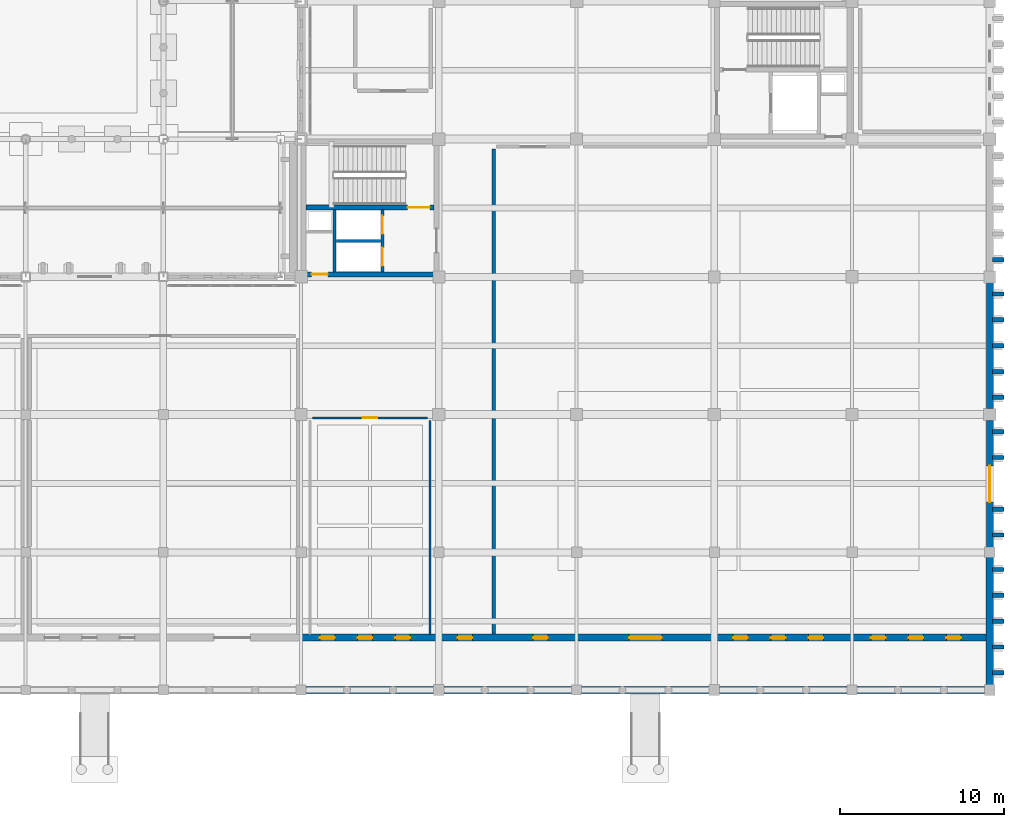
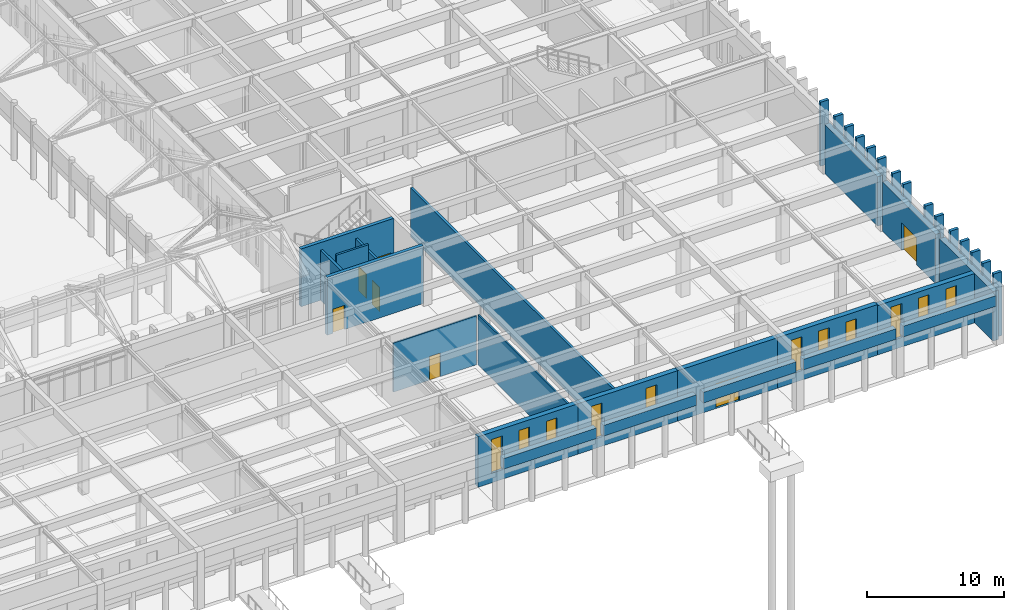
# One storey, part 124 of 143: 36 walls, 11 windows, 7 doors, 18 openings.
"""IFC4 building model written with IfcOpenShell, lengths in metres."""

from ifc_helpers import new_model, si_unit, direction, frame, frame_2d, origin, place, context, subcontext, project, spatial, rectangle, extrude, material, layer, layer_set, type_object, element, fill, save


model = new_model("IFC4")

# Units and contexts
model_context = context("Model", 3, precision=1e-05, world=origin(), true_north=direction((0.0, 1.0)))
body_context = subcontext(model_context, "Body", "Model", "MODEL_VIEW")
ifc_project = project(units=[si_unit("LENGTHUNIT", "METRE"), si_unit("AREAUNIT", "SQUARE_METRE"), si_unit("VOLUMEUNIT", "CUBIC_METRE"), si_unit("PLANEANGLEUNIT", "RADIAN"), si_unit("MASSUNIT", "GRAM", prefix="KILO")], contexts=[model_context])

# Site, building, storey
site_placement = place(None, origin())
site = spatial("IfcSite", under=ifc_project, at=site_placement, CompositionType="ELEMENT")
building_placement = place(site_placement, origin())
building = spatial("IfcBuilding", under=site, at=building_placement, Name="Kveldsbrygga Polytechnic", CompositionType="ELEMENT")
storey_placement = place(building_placement, origin())
storey = spatial("IfcBuildingStorey", under=building, at=storey_placement, Name="L00", CompositionType="ELEMENT", Elevation=0.0)

# Wall, openings, windows
ifc_material_1 = material(Name="Fired clay brick masonry M10", Category="masonry")
ifc_layer_1 = layer(ifc_material_1, 0.419921875)
ifc_layer_set_1 = layer_set([ifc_layer_1], Name="Fired clay brick masonry M10")
wall_type_1 = type_object("IfcWallType", Name="EW-BRICK-420", PredefinedType="SOLIDWALL", material=ifc_layer_set_1)
wall_1_placement = place(storey_placement, frame((126.0, 3.199951171875, 0.0), z_axis=(0.0, 0.0, 1.0), x_axis=(1.0, 0.0, 0.0)))
wall_1 = element("IfcWall", 1, at=wall_1_placement, inside=storey, type_object=wall_type_1, Name="Colonnade Recessed Ground Wall EW-L00-X-15-00", PredefinedType="SOLIDWALL", context=body_context, shape_type="SweptSolid", body=[
    extrude(rectangle(XDim=8.39990234375, YDim=0.419921875, at=frame_2d((4.199951171875, 0.0))), origin(), (0.0, 0.0, 1.0), 4.489990234375),
])
opening_1_placement = place(wall_1_placement, frame((1.14990234375, 0.0, 0.85009765625)))
opening_1 = element("IfcOpeningElement", 2, at=opening_1_placement, cuts=wall_1, Name="Opening W-19", PredefinedType="OPENING", context=body_context, shape_type="SweptSolid", body=[
    extrude(rectangle(XDim=0.89990234375, YDim=3.0, at=frame_2d((0.449951171875, 1.5))), frame((0.0, 0.219970703125, 0.0), z_axis=(0.0, -1.0, 0.0), x_axis=(1.0, 0.0, 0.0)), (0.0, 0.0, 1.0), 0.43994140625),
])
opening_2_placement = place(wall_1_placement, frame((3.449951171875, 0.0, 0.85009765625)))
opening_2 = element("IfcOpeningElement", 3, at=opening_2_placement, cuts=wall_1, Name="Opening W-19", PredefinedType="OPENING", context=body_context, shape_type="SweptSolid", body=[
    extrude(rectangle(XDim=0.89990234375, YDim=3.0, at=frame_2d((0.449951171875, 1.5))), frame((0.0, 0.219970703125, 0.0), z_axis=(0.0, -1.0, 0.0), x_axis=(1.0, 0.0, 0.0)), (0.0, 0.0, 1.0), 0.43994140625),
])
opening_3_placement = place(wall_1_placement, frame((5.75, 0.0, 0.85009765625)))
opening_3 = element("IfcOpeningElement", 4, at=opening_3_placement, cuts=wall_1, Name="Opening W-19", PredefinedType="OPENING", context=body_context, shape_type="SweptSolid", body=[
    extrude(rectangle(XDim=0.89990234375, YDim=3.0, at=frame_2d((0.449951171875, 1.5))), frame((0.0, 0.219970703125, 0.0), z_axis=(0.0, -1.0, 0.0), x_axis=(1.0, 0.0, 0.0)), (0.0, 0.0, 1.0), 0.43994140625),
])
ifc_material_2 = material(Name="Insulated triple low-E glass", Category="glass")
window_type = type_object("IfcWindowType", Name="WN-LANC-090x300", PartitioningType="DOUBLE_PANEL_VERTICAL", PredefinedType="WINDOW", material=ifc_material_2)
window_1_placement = place(opening_1_placement, origin())
window_1 = element("IfcWindow", 5, at=window_1_placement, inside=storey, type_object=window_type, Name="Colonnade Lancet Window WIN-L00-X-15-00-1", OverallHeight=3.0, OverallWidth=0.89990234375, PartitioningType="DOUBLE_PANEL_VERTICAL", PredefinedType="WINDOW", context=body_context, shape_type="SweptSolid", body=[
    extrude(rectangle(XDim=0.89990234375, YDim=3.0, at=frame_2d((0.449951171875, 1.5))), frame((0.0, 0.030029296875, 0.0), z_axis=(0.0, -1.0, 0.0), x_axis=(1.0, 0.0, 0.0)), (0.0, 0.0, 1.0), 0.06005859375),
])
fill(opening_1, window_1)
window_2_placement = place(opening_2_placement, origin())
window_2 = element("IfcWindow", 6, at=window_2_placement, inside=storey, type_object=window_type, Name="Colonnade Lancet Window WIN-L00-X-15-00-2", OverallHeight=3.0, OverallWidth=0.89990234375, PartitioningType="DOUBLE_PANEL_VERTICAL", PredefinedType="WINDOW", context=body_context, shape_type="SweptSolid", body=[
    extrude(rectangle(XDim=0.89990234375, YDim=3.0, at=frame_2d((0.449951171875, 1.5))), frame((0.0, 0.030029296875, 0.0), z_axis=(0.0, -1.0, 0.0), x_axis=(1.0, 0.0, 0.0)), (0.0, 0.0, 1.0), 0.06005859375),
])
fill(opening_2, window_2)
window_3_placement = place(opening_3_placement, origin())
window_3 = element("IfcWindow", 7, at=window_3_placement, inside=storey, type_object=window_type, Name="Colonnade Lancet Window WIN-L00-X-15-00-3", OverallHeight=3.0, OverallWidth=0.89990234375, PartitioningType="DOUBLE_PANEL_VERTICAL", PredefinedType="WINDOW", context=body_context, shape_type="SweptSolid", body=[
    extrude(rectangle(XDim=0.89990234375, YDim=3.0, at=frame_2d((0.449951171875, 1.5))), frame((0.0, 0.030029296875, 0.0), z_axis=(0.0, -1.0, 0.0), x_axis=(1.0, 0.0, 0.0)), (0.0, 0.0, 1.0), 0.06005859375),
])
fill(opening_3, window_3)

wall_2_placement = place(storey_placement, frame((134.39990234375, 3.199951171875, 0.0), z_axis=(0.0, 0.0, 1.0), x_axis=(1.0, 0.0, 0.0)))
wall_2 = element("IfcWall", 8, at=wall_2_placement, inside=storey, type_object=wall_type_1, Name="Colonnade Recessed Ground Wall EW-L00-X-16-00", PredefinedType="SOLIDWALL", context=body_context, shape_type="SweptSolid", body=[
    extrude(rectangle(XDim=8.400146484375, YDim=0.419921875, at=frame_2d((4.2001953125, 0.0))), origin(), (0.0, 0.0, 1.0), 4.489990234375),
])
opening_4_placement = place(wall_2_placement, frame((1.14990234375, 0.0, 0.85009765625)))
opening_4 = element("IfcOpeningElement", 9, at=opening_4_placement, cuts=wall_2, Name="Opening W-19", PredefinedType="OPENING", context=body_context, shape_type="SweptSolid", body=[
    extrude(rectangle(XDim=0.89990234375, YDim=3.0, at=frame_2d((0.449951171875, 1.5))), frame((0.0, 0.219970703125, 0.0), z_axis=(0.0, -1.0, 0.0), x_axis=(1.0, 0.0, 0.0)), (0.0, 0.0, 1.0), 0.43994140625),
])
opening_5_placement = place(wall_2_placement, frame((5.75, 0.0, 0.85009765625)))
opening_5 = element("IfcOpeningElement", 10, at=opening_5_placement, cuts=wall_2, Name="Opening W-19", PredefinedType="OPENING", context=body_context, shape_type="SweptSolid", body=[
    extrude(rectangle(XDim=0.89990234375, YDim=3.0, at=frame_2d((0.449951171875, 1.5))), frame((0.0, 0.219970703125, 0.0), z_axis=(0.0, -1.0, 0.0), x_axis=(1.0, 0.0, 0.0)), (0.0, 0.0, 1.0), 0.43994140625),
])
window_4_placement = place(opening_4_placement, origin())
window_4 = element("IfcWindow", 11, at=window_4_placement, inside=storey, type_object=window_type, Name="Colonnade Lancet Window WIN-L00-X-16-00-1", OverallHeight=3.0, OverallWidth=0.89990234375, PartitioningType="DOUBLE_PANEL_VERTICAL", PredefinedType="WINDOW", context=body_context, shape_type="SweptSolid", body=[
    extrude(rectangle(XDim=0.89990234375, YDim=3.0, at=frame_2d((0.449951171875, 1.5))), frame((0.0, 0.030029296875, 0.0), z_axis=(0.0, -1.0, 0.0), x_axis=(1.0, 0.0, 0.0)), (0.0, 0.0, 1.0), 0.06005859375),
])
fill(opening_4, window_4)
window_5_placement = place(opening_5_placement, origin())
window_5 = element("IfcWindow", 12, at=window_5_placement, inside=storey, type_object=window_type, Name="Colonnade Lancet Window WIN-L00-X-16-00-3", OverallHeight=3.0, OverallWidth=0.89990234375, PartitioningType="DOUBLE_PANEL_VERTICAL", PredefinedType="WINDOW", context=body_context, shape_type="SweptSolid", body=[
    extrude(rectangle(XDim=0.89990234375, YDim=3.0, at=frame_2d((0.449951171875, 1.5))), frame((0.0, 0.030029296875, 0.0), z_axis=(0.0, -1.0, 0.0), x_axis=(1.0, 0.0, 0.0)), (0.0, 0.0, 1.0), 0.06005859375),
])
fill(opening_5, window_5)

# Wall, opening, door
wall_3_placement = place(storey_placement, frame((142.800048828125, 3.199951171875, 0.0), z_axis=(0.0, 0.0, 1.0), x_axis=(1.0, 0.0, 0.0)))
wall_3 = element("IfcWall", 13, at=wall_3_placement, inside=storey, type_object=wall_type_1, Name="Colonnade Recessed Ground Wall EW-L00-X-17-00", PredefinedType="SOLIDWALL", context=body_context, shape_type="SweptSolid", body=[
    extrude(rectangle(XDim=8.39990234375, YDim=0.419921875, at=frame_2d((4.199951171875, 0.0))), origin(), (0.0, 0.0, 1.0), 4.489990234375),
])
opening_6_placement = place(wall_3_placement, frame((3.199951171875, 0.0, 0.0)))
opening_6 = element("IfcOpeningElement", 14, at=opening_6_placement, cuts=wall_3, Name="Opening ED-15", PredefinedType="OPENING", context=body_context, shape_type="SweptSolid", body=[
    extrude(rectangle(XDim=2.0, YDim=2.199951171875, at=frame_2d((1.0, 1.10009765625))), frame((0.0, 0.219970703125, 0.0), z_axis=(0.0, -1.0, 0.0), x_axis=(1.0, 0.0, 0.0)), (0.0, 0.0, 1.0), 0.43994140625),
])
ifc_material_3 = material(Name="Anodised aluminium AW-6060", Category="aluminium")
door_type_1 = type_object("IfcDoorType", Name="ED-EXIT-200x220", OperationType="DOUBLE_DOOR_SINGLE_SWING", PredefinedType="DOOR", material=ifc_material_3)
door_1_placement = place(opening_6_placement, origin())
door_1 = element("IfcDoor", 15, at=door_1_placement, inside=storey, type_object=door_type_1, Name="Colonnade Entrance Door ED-15", OperationType="DOUBLE_DOOR_SINGLE_SWING", OverallHeight=2.199951171875, OverallWidth=2.0, PredefinedType="DOOR", context=body_context, shape_type="SweptSolid", body=[
    extrude(rectangle(XDim=2.0, YDim=2.199951171875, at=frame_2d((1.0, 1.10009765625))), frame((0.0, 0.02490234375, 0.0), z_axis=(0.0, -1.0, 0.0), x_axis=(1.0, 0.0, 0.0)), (0.0, 0.0, 1.0), 0.050048828125),
])
fill(opening_6, door_1)

# Wall, openings, windows
wall_4_placement = place(storey_placement, frame((151.199951171875, 3.199951171875, 0.0), z_axis=(0.0, 0.0, 1.0), x_axis=(1.0, 0.0, 0.0)))
wall_4 = element("IfcWall", 16, at=wall_4_placement, inside=storey, type_object=wall_type_1, Name="Colonnade Recessed Ground Wall EW-L00-X-18-00", PredefinedType="SOLIDWALL", context=body_context, shape_type="SweptSolid", body=[
    extrude(rectangle(XDim=8.400146484375, YDim=0.419921875, at=frame_2d((4.2001953125, 0.0))), origin(), (0.0, 0.0, 1.0), 4.489990234375),
])
opening_7_placement = place(wall_4_placement, frame((1.14990234375, 0.0, 0.85009765625)))
opening_7 = element("IfcOpeningElement", 17, at=opening_7_placement, cuts=wall_4, Name="Opening W-19", PredefinedType="OPENING", context=body_context, shape_type="SweptSolid", body=[
    extrude(rectangle(XDim=0.89990234375, YDim=3.0, at=frame_2d((0.449951171875, 1.5))), frame((0.0, 0.219970703125, 0.0), z_axis=(0.0, -1.0, 0.0), x_axis=(1.0, 0.0, 0.0)), (0.0, 0.0, 1.0), 0.43994140625),
])
opening_8_placement = place(wall_4_placement, frame((3.449951171875, 0.0, 0.85009765625)))
opening_8 = element("IfcOpeningElement", 18, at=opening_8_placement, cuts=wall_4, Name="Opening W-19", PredefinedType="OPENING", context=body_context, shape_type="SweptSolid", body=[
    extrude(rectangle(XDim=0.89990234375, YDim=3.0, at=frame_2d((0.449951171875, 1.5))), frame((0.0, 0.219970703125, 0.0), z_axis=(0.0, -1.0, 0.0), x_axis=(1.0, 0.0, 0.0)), (0.0, 0.0, 1.0), 0.43994140625),
])
opening_9_placement = place(wall_4_placement, frame((5.75, 0.0, 0.85009765625)))
opening_9 = element("IfcOpeningElement", 19, at=opening_9_placement, cuts=wall_4, Name="Opening W-19", PredefinedType="OPENING", context=body_context, shape_type="SweptSolid", body=[
    extrude(rectangle(XDim=0.89990234375, YDim=3.0, at=frame_2d((0.449951171875, 1.5))), frame((0.0, 0.219970703125, 0.0), z_axis=(0.0, -1.0, 0.0), x_axis=(1.0, 0.0, 0.0)), (0.0, 0.0, 1.0), 0.43994140625),
])
window_6_placement = place(opening_7_placement, origin())
window_6 = element("IfcWindow", 20, at=window_6_placement, inside=storey, type_object=window_type, Name="Colonnade Lancet Window WIN-L00-X-18-00-1", OverallHeight=3.0, OverallWidth=0.89990234375, PartitioningType="DOUBLE_PANEL_VERTICAL", PredefinedType="WINDOW", context=body_context, shape_type="SweptSolid", body=[
    extrude(rectangle(XDim=0.89990234375, YDim=3.0, at=frame_2d((0.449951171875, 1.5))), frame((0.0, 0.030029296875, 0.0), z_axis=(0.0, -1.0, 0.0), x_axis=(1.0, 0.0, 0.0)), (0.0, 0.0, 1.0), 0.06005859375),
])
fill(opening_7, window_6)
window_7_placement = place(opening_8_placement, origin())
window_7 = element("IfcWindow", 21, at=window_7_placement, inside=storey, type_object=window_type, Name="Colonnade Lancet Window WIN-L00-X-18-00-2", OverallHeight=3.0, OverallWidth=0.89990234375, PartitioningType="DOUBLE_PANEL_VERTICAL", PredefinedType="WINDOW", context=body_context, shape_type="SweptSolid", body=[
    extrude(rectangle(XDim=0.89990234375, YDim=3.0, at=frame_2d((0.449951171875, 1.5))), frame((0.0, 0.030029296875, 0.0), z_axis=(0.0, -1.0, 0.0), x_axis=(1.0, 0.0, 0.0)), (0.0, 0.0, 1.0), 0.06005859375),
])
fill(opening_8, window_7)
window_8_placement = place(opening_9_placement, origin())
window_8 = element("IfcWindow", 22, at=window_8_placement, inside=storey, type_object=window_type, Name="Colonnade Lancet Window WIN-L00-X-18-00-3", OverallHeight=3.0, OverallWidth=0.89990234375, PartitioningType="DOUBLE_PANEL_VERTICAL", PredefinedType="WINDOW", context=body_context, shape_type="SweptSolid", body=[
    extrude(rectangle(XDim=0.89990234375, YDim=3.0, at=frame_2d((0.449951171875, 1.5))), frame((0.0, 0.030029296875, 0.0), z_axis=(0.0, -1.0, 0.0), x_axis=(1.0, 0.0, 0.0)), (0.0, 0.0, 1.0), 0.06005859375),
])
fill(opening_9, window_8)

wall_5_placement = place(storey_placement, frame((159.60009765625, 3.199951171875, 0.0), z_axis=(0.0, 0.0, 1.0), x_axis=(1.0, 0.0, 0.0)))
wall_5 = element("IfcWall", 23, at=wall_5_placement, inside=storey, type_object=wall_type_1, Name="Colonnade Recessed Ground Wall EW-L00-X-19-00", PredefinedType="SOLIDWALL", context=body_context, shape_type="SweptSolid", body=[
    extrude(rectangle(XDim=8.39990234375, YDim=0.419921875, at=frame_2d((4.199951171875, 0.0))), origin(), (0.0, 0.0, 1.0), 4.389892578125),
])
opening_10_placement = place(wall_5_placement, frame((1.14990234375, 0.0, 0.85009765625)))
opening_10 = element("IfcOpeningElement", 24, at=opening_10_placement, cuts=wall_5, Name="Opening W-19", PredefinedType="OPENING", context=body_context, shape_type="SweptSolid", body=[
    extrude(rectangle(XDim=0.89990234375, YDim=3.0, at=frame_2d((0.449951171875, 1.5))), frame((0.0, 0.219970703125, 0.0), z_axis=(0.0, -1.0, 0.0), x_axis=(1.0, 0.0, 0.0)), (0.0, 0.0, 1.0), 0.43994140625),
])
opening_11_placement = place(wall_5_placement, frame((3.449951171875, 0.0, 0.85009765625)))
opening_11 = element("IfcOpeningElement", 25, at=opening_11_placement, cuts=wall_5, Name="Opening W-19", PredefinedType="OPENING", context=body_context, shape_type="SweptSolid", body=[
    extrude(rectangle(XDim=0.89990234375, YDim=3.0, at=frame_2d((0.449951171875, 1.5))), frame((0.0, 0.219970703125, 0.0), z_axis=(0.0, -1.0, 0.0), x_axis=(1.0, 0.0, 0.0)), (0.0, 0.0, 1.0), 0.43994140625),
])
opening_12_placement = place(wall_5_placement, frame((5.75, 0.0, 0.85009765625)))
opening_12 = element("IfcOpeningElement", 26, at=opening_12_placement, cuts=wall_5, Name="Opening W-19", PredefinedType="OPENING", context=body_context, shape_type="SweptSolid", body=[
    extrude(rectangle(XDim=0.89990234375, YDim=3.0, at=frame_2d((0.449951171875, 1.5))), frame((0.0, 0.219970703125, 0.0), z_axis=(0.0, -1.0, 0.0), x_axis=(1.0, 0.0, 0.0)), (0.0, 0.0, 1.0), 0.43994140625),
])
window_9_placement = place(opening_10_placement, origin())
window_9 = element("IfcWindow", 27, at=window_9_placement, inside=storey, type_object=window_type, Name="Colonnade Lancet Window WIN-L00-X-19-00-1", OverallHeight=3.0, OverallWidth=0.89990234375, PartitioningType="DOUBLE_PANEL_VERTICAL", PredefinedType="WINDOW", context=body_context, shape_type="SweptSolid", body=[
    extrude(rectangle(XDim=0.89990234375, YDim=3.0, at=frame_2d((0.449951171875, 1.5))), frame((0.0, 0.030029296875, 0.0), z_axis=(0.0, -1.0, 0.0), x_axis=(1.0, 0.0, 0.0)), (0.0, 0.0, 1.0), 0.06005859375),
])
fill(opening_10, window_9)
window_10_placement = place(opening_11_placement, origin())
window_10 = element("IfcWindow", 28, at=window_10_placement, inside=storey, type_object=window_type, Name="Colonnade Lancet Window WIN-L00-X-19-00-2", OverallHeight=3.0, OverallWidth=0.89990234375, PartitioningType="DOUBLE_PANEL_VERTICAL", PredefinedType="WINDOW", context=body_context, shape_type="SweptSolid", body=[
    extrude(rectangle(XDim=0.89990234375, YDim=3.0, at=frame_2d((0.449951171875, 1.5))), frame((0.0, 0.030029296875, 0.0), z_axis=(0.0, -1.0, 0.0), x_axis=(1.0, 0.0, 0.0)), (0.0, 0.0, 1.0), 0.06005859375),
])
fill(opening_11, window_10)
window_11_placement = place(opening_12_placement, origin())
window_11 = element("IfcWindow", 29, at=window_11_placement, inside=storey, type_object=window_type, Name="Colonnade Lancet Window WIN-L00-X-19-00-3", OverallHeight=3.0, OverallWidth=0.89990234375, PartitioningType="DOUBLE_PANEL_VERTICAL", PredefinedType="WINDOW", context=body_context, shape_type="SweptSolid", body=[
    extrude(rectangle(XDim=0.89990234375, YDim=3.0, at=frame_2d((0.449951171875, 1.5))), frame((0.0, 0.030029296875, 0.0), z_axis=(0.0, -1.0, 0.0), x_axis=(1.0, 0.0, 0.0)), (0.0, 0.0, 1.0), 0.06005859375),
])
fill(opening_12, window_11)

# Wall, opening, door
wall_6_placement = place(storey_placement, frame((168.0, 8.695068359375, 0.0), z_axis=(0.0, 0.0, 1.0), x_axis=(0.0, 1.0, 0.0)))
wall_6 = element("IfcWall", 30, at=wall_6_placement, inside=storey, type_object=wall_type_1, Name="Exterior Brick Wall EW-L00-Y-20-01", PredefinedType="SOLIDWALL", context=body_context, shape_type="SweptSolid", body=[
    extrude(rectangle(XDim=7.744873046875, YDim=0.419921875, at=frame_2d((3.87255859375, 0.0))), origin(), (0.0, 0.0, 1.0), 4.389892578125),
])
opening_13_placement = place(wall_6_placement, frame((2.7724609375, 0.0, 0.0)))
opening_13 = element("IfcOpeningElement", 31, at=opening_13_placement, cuts=wall_6, Name="Opening ED-17", PredefinedType="OPENING", context=body_context, shape_type="SweptSolid", body=[
    extrude(rectangle(XDim=2.199951171875, YDim=2.39990234375, at=frame_2d((1.10009765625, 1.199951171875))), frame((0.0, 0.219970703125, 0.0), z_axis=(0.0, -1.0, 0.0), x_axis=(1.0, 0.0, 0.0)), (0.0, 0.0, 1.0), 0.43994140625),
])
door_type_2 = type_object("IfcDoorType", Name="ED-MAIN-220x240", OperationType="DOUBLE_DOOR_SINGLE_SWING", PredefinedType="DOOR", material=ifc_material_3)
door_2_placement = place(opening_13_placement, origin())
door_2 = element("IfcDoor", 32, at=door_2_placement, inside=storey, type_object=door_type_2, Name="Pedestrian Exit Door ED-17", OperationType="DOUBLE_DOOR_SINGLE_SWING", OverallHeight=2.39990234375, OverallWidth=2.199951171875, PredefinedType="DOOR", context=body_context, shape_type="SweptSolid", body=[
    extrude(rectangle(XDim=2.199951171875, YDim=2.39990234375, at=frame_2d((1.10009765625, 1.199951171875))), frame((0.0, 0.02490234375, 0.0), z_axis=(0.0, -1.0, 0.0), x_axis=(1.0, 0.0, 0.0)), (0.0, 0.0, 1.0), 0.050048828125),
])
fill(opening_13, door_2)

# Walls
wall_7_placement = place(storey_placement, frame((168.0, 17.159912109375, 0.0), z_axis=(0.0, 0.0, 1.0), x_axis=(0.0, 1.0, 0.0)))
element("IfcWall", 33, at=wall_7_placement, inside=storey, type_object=wall_type_1, Name="Exterior Brick Wall EW-L00-Y-20-02", PredefinedType="SOLIDWALL", context=body_context, shape_type="SweptSolid", body=[
    extrude(rectangle(XDim=7.695068359375, YDim=0.419921875, at=frame_2d((3.84765625, 0.0))), origin(), (0.0, 0.0, 1.0), 4.389892578125),
])
ifc_layer_2 = layer(ifc_material_1, 0.260009765625)
ifc_layer_set_2 = layer_set([ifc_layer_2], Name="Fired clay brick masonry M10")
wall_type_2 = type_object("IfcWallType", Name="EW-BUTT-260", PredefinedType="SOLIDWALL", material=ifc_layer_set_2)
for number, where, z_axis, x_axis, name in (
    (34, (168.1650390625, 1.050048828125, -0.25), (0.0, 0.0, 1.0), (1.0, 0.0, 0.0), "Gothic Brick Buttress Pier BUTT-L00-Y-20-00-1"),
    (35, (168.1650390625, 2.6201171875, -0.25), (0.0, 0.0, 1.0), (1.0, 0.0, 0.0), "Gothic Brick Buttress Pier BUTT-L00-Y-20-00-2"),
    (36, (168.1650390625, 4.199951171875, -0.25), (0.0, 0.0, 1.0), (1.0, 0.0, 0.0), "Gothic Brick Buttress Pier BUTT-L00-Y-20-00-3"),
    (37, (168.1650390625, 5.780029296875, -0.25), (0.0, 0.0, 1.0), (1.0, 0.0, 0.0), "Gothic Brick Buttress Pier BUTT-L00-Y-20-00-4"),
    (38, (168.1650390625, 7.35009765625, -0.25), (0.0, 0.0, 1.0), (1.0, 0.0, 0.0), "Gothic Brick Buttress Pier BUTT-L00-Y-20-00-5"),
    (39, (168.1650390625, 9.449951171875, -0.25), (0.0, 0.0, 1.0), (1.0, 0.0, 0.0), "Gothic Brick Buttress Pier BUTT-L00-Y-20-01-1"),
    (40, (168.1650390625, 11.02001953125, -0.25), (0.0, 0.0, 1.0), (1.0, 0.0, 0.0), "Gothic Brick Buttress Pier BUTT-L00-Y-20-01-2"),
    (41, (168.1650390625, 14.179931640625, -0.25), (0.0, 0.0, 1.0), (1.0, 0.0, 0.0), "Gothic Brick Buttress Pier BUTT-L00-Y-20-01-4"),
    (42, (168.1650390625, 15.75, -0.25), (0.0, 0.0, 1.0), (1.0, 0.0, 0.0), "Gothic Brick Buttress Pier BUTT-L00-Y-20-01-5"),
    (43, (168.1650390625, 17.85009765625, -0.25), (0.0, 0.0, 1.0), (1.0, 0.0, 0.0), "Gothic Brick Buttress Pier BUTT-L00-Y-20-02-1"),
    (44, (168.1650390625, 19.419921875, -0.25), (0.0, 0.0, 1.0), (1.0, 0.0, 0.0), "Gothic Brick Buttress Pier BUTT-L00-Y-20-02-2"),
    (45, (168.1650390625, 21.0, -0.25), (0.0, 0.0, 1.0), (1.0, 0.0, 0.0), "Gothic Brick Buttress Pier BUTT-L00-Y-20-02-3"),
    (46, (168.1650390625, 22.580078125, -0.25), (0.0, 0.0, 1.0), (1.0, 0.0, 0.0), "Gothic Brick Buttress Pier BUTT-L00-Y-20-02-4"),
    (47, (168.1650390625, 24.14990234375, -0.25), (0.0, 0.0, 1.0), (1.0, 0.0, 0.0), "Gothic Brick Buttress Pier BUTT-L00-Y-20-02-5"),
    (48, (168.1650390625, 26.25, -0.25), (0.0, 0.0, 1.0), (1.0, 0.0, 0.0), "Gothic Brick Buttress Pier BUTT-L00-Y-20-03-1"),
):
    element("IfcWall", number, at=place(storey_placement, frame(where, z_axis=z_axis, x_axis=x_axis)), inside=storey, type_object=wall_type_2, Name=name, PredefinedType="SOLIDWALL", context=body_context, shape_type="SweptSolid", body=[
        extrude(rectangle(XDim=0.699951171875, YDim=0.260009765625, at=frame_2d((0.35009765625, 0.0))), origin(), (0.0, 0.0, 1.0), 5.68994140625),
    ])
ifc_material_4 = material(Name="Iddefjord granite ashlar", Category="masonry")
ifc_layer_3 = layer(ifc_material_4, 0.449951171875)
ifc_layer_set_3 = layer_set([ifc_layer_3], Name="Iddefjord granite ashlar")
wall_type_3 = type_object("IfcWallType", Name="EW-GRAN-450", PredefinedType="SOLIDWALL", material=ifc_layer_set_3)
wall_8_placement = place(storey_placement, frame((126.294921875, 0.0, 3.455078125), z_axis=(0.0, 0.0, 1.0), x_axis=(1.0, 0.0, 0.0)))
element("IfcWall", 49, at=wall_8_placement, inside=storey, type_object=wall_type_3, Name="Harbour Colonnade Granite Arch Header EW-PROM-HDR-15", PredefinedType="SOLIDWALL", context=body_context, shape_type="SweptSolid", body=[
    extrude(rectangle(XDim=7.795166015625, YDim=0.449951171875, at=frame_2d((3.8974609375, 0.0))), origin(), (0.0, 0.0, 1.0), 0.94482421875),
])
for number, where, z_axis, x_axis, name in (
    (50, (134.7099609375, 0.0, 3.455078125), (0.0, 0.0, 1.0), (1.0, 0.0, 0.0), "Harbour Colonnade Granite Arch Header EW-PROM-HDR-16"),
    (51, (143.094970703125, 0.0, 3.455078125), (0.0, 0.0, 1.0), (1.0, 0.0, 0.0), "Harbour Colonnade Granite Arch Header EW-PROM-HDR-17"),
    (52, (151.510009765625, 0.0, 3.455078125), (0.0, 0.0, 1.0), (1.0, 0.0, 0.0), "Harbour Colonnade Granite Arch Header EW-PROM-HDR-18"),
    (53, (159.89501953125, 0.0, 3.455078125), (0.0, 0.0, 1.0), (1.0, 0.0, 0.0), "Harbour Colonnade Granite Arch Header EW-PROM-HDR-19"),
):
    element("IfcWall", number, at=place(storey_placement, frame(where, z_axis=z_axis, x_axis=x_axis)), inside=storey, type_object=wall_type_3, Name=name, PredefinedType="SOLIDWALL", context=body_context, shape_type="SweptSolid", body=[
        extrude(rectangle(XDim=7.794921875, YDim=0.449951171875, at=frame_2d((3.8974609375, 0.0))), origin(), (0.0, 0.0, 1.0), 0.94482421875),
    ])
wall_9_placement = place(storey_placement, frame((168.0, 0.31005859375, 0.0), z_axis=(0.0, 0.0, 1.0), x_axis=(0.0, 1.0, 0.0)))
element("IfcWall", 54, at=wall_9_placement, inside=storey, type_object=wall_type_3, Name="Exterior Brick Wall EW-L00-Y-20-00", PredefinedType="SOLIDWALL", context=body_context, shape_type="SweptSolid", body=[
    extrude(rectangle(XDim=7.794921875, YDim=0.449951171875, at=frame_2d((3.8974609375, 0.0))), origin(), (0.0, 0.0, 1.0), 4.389892578125),
])
ifc_layer_4 = layer(ifc_material_1, 0.199951171875)
ifc_layer_set_4 = layer_set([ifc_layer_4], Name="Fired clay brick masonry M10")
wall_type_4 = type_object("IfcWallType", Name="IW-LAB-200", PredefinedType="PARTITIONING", material=ifc_layer_set_4)
wall_10_placement = place(storey_placement, frame((137.75, 3.3798828125, 0.0), z_axis=(0.0, 0.0, 1.0), x_axis=(0.0, 1.0, 0.0)))
element("IfcWall", 55, at=wall_10_placement, inside=storey, type_object=wall_type_4, Name="Partition Wall IW-SP-L00-LAB1-W1", PredefinedType="PARTITIONING", context=body_context, shape_type="SweptSolid", body=[
    extrude(rectangle(XDim=29.6201171875, YDim=0.199951171875, at=frame_2d((14.81005859375, 0.0))), origin(), (0.0, 0.0, 1.0), 4.360107421875),
])

# Wall, opening, door
ifc_material_5 = material(Name="Moisture-resistant masonry M10", Category="masonry")
ifc_layer_5 = layer(ifc_material_5, 0.1298828125)
ifc_layer_set_5 = layer_set([ifc_layer_5], Name="Moisture-resistant masonry M10")
wall_type_5 = type_object("IfcWallType", Name="IW-SAN-130", PredefinedType="PARTITIONING", material=ifc_layer_set_5)
wall_11_placement = place(storey_placement, frame((126.699951171875, 16.60009765625, 0.0), z_axis=(0.0, 0.0, 1.0), x_axis=(1.0, 0.0, 0.0)))
wall_11 = element("IfcWall", 56, at=wall_11_placement, inside=storey, type_object=wall_type_5, Name="Partition Wall IW-SP-L00-WCMAIN-N1", PredefinedType="PARTITIONING", context=body_context, shape_type="SweptSolid", body=[
    extrude(rectangle(XDim=7.0, YDim=0.1298828125, at=frame_2d((3.5, 0.0))), origin(), (0.0, 0.0, 1.0), 4.360107421875),
])
opening_14_placement = place(wall_11_placement, frame((3.050048828125, 0.0, 0.0)))
opening_14 = element("IfcOpeningElement", 57, at=opening_14_placement, cuts=wall_11, Name="Opening ID-L00-040", PredefinedType="OPENING", context=body_context, shape_type="SweptSolid", body=[
    extrude(rectangle(XDim=0.89990234375, YDim=2.10009765625, at=frame_2d((0.449951171875, 1.050048828125))), frame((0.0, 0.074951171875, 0.0), z_axis=(0.0, -1.0, 0.0), x_axis=(1.0, 0.0, 0.0)), (0.0, 0.0, 1.0), 0.14990234375),
])
ifc_material_6 = material(Name="Acoustic oak timber", Category="wood")
door_type_3 = type_object("IfcDoorType", Name="ID-SAN-090x210", OperationType="NOTDEFINED", PredefinedType="DOOR", material=ifc_material_6)
door_3_placement = place(opening_14_placement, origin())
door_3 = element("IfcDoor", 58, at=door_3_placement, inside=storey, type_object=door_type_3, Name="Interior Door ID-L00-040", OperationType="SINGLE_SWING_RIGHT", OverallHeight=2.10009765625, OverallWidth=0.89990234375, PredefinedType="DOOR", context=body_context, shape_type="SweptSolid", body=[
    extrude(rectangle(XDim=0.89990234375, YDim=2.10009765625, at=frame_2d((0.449951171875, 1.050048828125))), frame((0.0, 0.02490234375, 0.0), z_axis=(0.0, -1.0, 0.0), x_axis=(1.0, 0.0, 0.0)), (0.0, 0.0, 1.0), 0.050048828125),
])
fill(opening_14, door_3)

# Wall
wall_12_placement = place(storey_placement, frame((133.85009765625, 3.3798828125, 0.0), z_axis=(0.0, 0.0, 1.0), x_axis=(0.0, 1.0, 0.0)))
element("IfcWall", 59, at=wall_12_placement, inside=storey, type_object=wall_type_5, Name="Partition Wall IW-SP-L00-WCMAIN-E1", PredefinedType="PARTITIONING", context=body_context, shape_type="SweptSolid", body=[
    extrude(rectangle(XDim=13.070068359375, YDim=0.1298828125, at=frame_2d((6.53515625, 0.0))), origin(), (0.0, 0.0, 1.0), 4.4599609375),
])

# Wall, opening, door
ifc_material_7 = material(Name="Concrete C45/55", Category="concrete")
ifc_layer_6 = layer(ifc_material_7, 0.300048828125)
ifc_layer_set_6 = layer_set([ifc_layer_6], Name="Concrete C45/55")
wall_type_6 = type_object("IfcWallType", Name="WL-CORE-300", PredefinedType="SHEAR", material=ifc_layer_set_6)
wall_13_placement = place(storey_placement, frame((126.14990234375, 25.35009765625, 0.0), z_axis=(0.0, 0.0, 1.0), x_axis=(1.0, 0.0, 0.0)))
wall_13 = element("IfcWall", 60, at=wall_13_placement, inside=storey, type_object=wall_type_6, Name="Core C1 Shear Wall C1-L00-SW-S", PredefinedType="SHEAR", context=body_context, shape_type="SweptSolid", body=[
    extrude(rectangle(XDim=8.10009765625, YDim=0.300048828125, at=frame_2d((4.050048828125, 0.0))), origin(), (0.0, 0.0, 1.0), 5.139892578125),
])
opening_15_placement = place(wall_13_placement, frame((0.485107421875, 0.0, 0.0)))
opening_15 = element("IfcOpeningElement", 61, at=opening_15_placement, cuts=wall_13, Name="Opening ID-C1-L00-AWC", PredefinedType="OPENING", context=body_context, shape_type="SweptSolid", body=[
    extrude(rectangle(XDim=1.0, YDim=2.14990234375, at=frame_2d((0.5, 1.074951171875))), frame((0.0, 0.16015625, 0.0), z_axis=(0.0, -1.0, 0.0), x_axis=(1.0, 0.0, 0.0)), (0.0, 0.0, 1.0), 0.320068359375),
])
door_type_4 = type_object("IfcDoorType", Name="ID-AWC-100x215", OperationType="NOTDEFINED", PredefinedType="DOOR", material=ifc_material_6)
door_4_placement = place(opening_15_placement, origin())
door_4 = element("IfcDoor", 62, at=door_4_placement, inside=storey, type_object=door_type_4, Name="Accessible WC Door ID-C1-L00-AWC", OperationType="SINGLE_SWING_RIGHT", OverallHeight=2.14990234375, OverallWidth=1.0, PredefinedType="DOOR", context=body_context, shape_type="SweptSolid", body=[
    extrude(rectangle(XDim=1.0, YDim=2.14990234375, at=frame_2d((0.5, 1.074951171875))), frame((0.0, 0.02490234375, 0.0), z_axis=(0.0, -1.0, 0.0), x_axis=(1.0, 0.0, 0.0)), (0.0, 0.0, 1.0), 0.050048828125),
])
fill(opening_15, door_4)

wall_14_placement = place(storey_placement, frame((126.300048828125, 29.429931640625, 0.0), z_axis=(0.0, 0.0, 1.0), x_axis=(1.0, 0.0, 0.0)))
wall_14 = element("IfcWall", 63, at=wall_14_placement, inside=storey, type_object=wall_type_6, Name="Core C1 Shear Wall C1-L00-W-DIV", PredefinedType="SHEAR", context=body_context, shape_type="SweptSolid", body=[
    extrude(rectangle(XDim=7.800048828125, YDim=0.300048828125, at=frame_2d((3.89990234375, 0.0))), origin(), (0.0, 0.0, 1.0), 5.139892578125),
])
opening_16_placement = place(wall_14_placement, frame((6.199951171875, 0.0, 0.0)))
opening_16 = element("IfcOpeningElement", 64, at=opening_16_placement, cuts=wall_14, Name="Opening FD-C1-L00-ST", PredefinedType="OPENING", context=body_context, shape_type="SweptSolid", body=[
    extrude(rectangle(XDim=1.35009765625, YDim=2.14990234375, at=frame_2d((0.675048828125, 1.074951171875))), frame((0.0, 0.16015625, 0.0), z_axis=(0.0, -1.0, 0.0), x_axis=(1.0, 0.0, 0.0)), (0.0, 0.0, 1.0), 0.320068359375),
])
ifc_material_8 = material(Name="Powder-coated galvanised steel", Category="steel")
door_type_5 = type_object("IfcDoorType", Name="ID-STAIR-135x215", OperationType="NOTDEFINED", PredefinedType="DOOR", material=ifc_material_8)
door_5_placement = place(opening_16_placement, origin())
door_5 = element("IfcDoor", 65, at=door_5_placement, inside=storey, type_object=door_type_5, Name="Stair Fire Door FD-C1-L00-ST", OperationType="SINGLE_SWING_LEFT", OverallHeight=2.14990234375, OverallWidth=1.35009765625, PredefinedType="DOOR", context=body_context, shape_type="SweptSolid", body=[
    extrude(rectangle(XDim=1.35009765625, YDim=2.14990234375, at=frame_2d((0.675048828125, 1.074951171875))), frame((0.0, 0.02490234375, 0.0), z_axis=(0.0, -1.0, 0.0), x_axis=(1.0, 0.0, 0.0)), (0.0, 0.0, 1.0), 0.050048828125),
])
fill(opening_16, door_5)

# Wall
ifc_material_9 = material(Name="Concrete C35/45", Category="concrete")
ifc_layer_7 = layer(ifc_material_9, 0.179931640625)
ifc_layer_set_7 = layer_set([ifc_layer_7], Name="Concrete C35/45")
wall_type_7 = type_object("IfcWallType", Name="WL-SHFT-180", PredefinedType="SHEAR", material=ifc_layer_set_7)
wall_15_placement = place(storey_placement, frame((128.14990234375, 27.39990234375, 0.0), z_axis=(0.0, 0.0, 1.0), x_axis=(1.0, 0.0, 0.0)))
element("IfcWall", 66, at=wall_15_placement, inside=storey, type_object=wall_type_7, Name="Lift Divider Wall C1-L00-W-LMID", PredefinedType="SHEAR", context=body_context, shape_type="SweptSolid", body=[
    extrude(rectangle(XDim=2.7001953125, YDim=0.179931640625, at=frame_2d((1.35009765625, 0.0))), origin(), (0.0, 0.0, 1.0), 5.139892578125),
])

# Wall, openings, doors
ifc_layer_8 = layer(ifc_material_9, 0.199951171875)
ifc_layer_set_8 = layer_set([ifc_layer_8], Name="Concrete C35/45")
wall_type_8 = type_object("IfcWallType", Name="WL-SHFT-200", PredefinedType="SHEAR", material=ifc_layer_set_8)
wall_16_placement = place(storey_placement, frame((130.9599609375, 25.5, 0.0), z_axis=(0.0, 0.0, 1.0), x_axis=(0.0, 1.0, 0.0)))
wall_16 = element("IfcWall", 67, at=wall_16_placement, inside=storey, type_object=wall_type_8, Name="Lift Front Wall C1-L00-W-LFR", PredefinedType="SHEAR", context=body_context, shape_type="SweptSolid", body=[
    extrude(rectangle(XDim=3.800048828125, YDim=0.199951171875, at=frame_2d((1.89990234375, 0.0))), origin(), (0.0, 0.0, 1.0), 4.4599609375),
])
opening_17_placement = place(wall_16_placement, frame((0.375, 0.0, 0.0)))
opening_17 = element("IfcOpeningElement", 68, at=opening_17_placement, cuts=wall_16, Name="Opening LD-FL-1", PredefinedType="OPENING", context=body_context, shape_type="SweptSolid", body=[
    extrude(rectangle(XDim=1.10009765625, YDim=2.14990234375, at=frame_2d((0.550048828125, 1.074951171875))), frame((0.0, 0.10986328125, 0.0), z_axis=(0.0, -1.0, 0.0), x_axis=(1.0, 0.0, 0.0)), (0.0, 0.0, 1.0), 0.219970703125),
])
opening_18_placement = place(wall_16_placement, frame((2.324951171875, 0.0, 0.0)))
opening_18 = element("IfcOpeningElement", 69, at=opening_18_placement, cuts=wall_16, Name="Opening LD-LP-1", PredefinedType="OPENING", context=body_context, shape_type="SweptSolid", body=[
    extrude(rectangle(XDim=1.10009765625, YDim=2.14990234375, at=frame_2d((0.550048828125, 1.074951171875))), frame((0.0, 0.10986328125, 0.0), z_axis=(0.0, -1.0, 0.0), x_axis=(1.0, 0.0, 0.0)), (0.0, 0.0, 1.0), 0.219970703125),
])
ifc_material_10 = material(Name="Brushed stainless steel EN 1.4401", Category="steel")
door_type_6 = type_object("IfcDoorType", Name="LD-PAX-110x215", OperationType="SLIDING_TO_LEFT", PredefinedType="DOOR", material=ifc_material_10)
door_6_placement = place(opening_17_placement, origin())
door_6 = element("IfcDoor", 70, at=door_6_placement, inside=storey, type_object=door_type_6, Name="Lift Landing Sliding Door LD-FL-1-L00", OperationType="SLIDING_TO_LEFT", OverallHeight=2.14990234375, OverallWidth=1.10009765625, PredefinedType="DOOR", context=body_context, shape_type="SweptSolid", body=[
    extrude(rectangle(XDim=1.10009765625, YDim=2.14990234375, at=frame_2d((0.550048828125, 1.074951171875))), frame((0.0, 0.02490234375, 0.0), z_axis=(0.0, -1.0, 0.0), x_axis=(1.0, 0.0, 0.0)), (0.0, 0.0, 1.0), 0.050048828125),
])
fill(opening_17, door_6)
door_7_placement = place(opening_18_placement, origin())
door_7 = element("IfcDoor", 71, at=door_7_placement, inside=storey, type_object=door_type_6, Name="Lift Landing Sliding Door LD-LP-1-L00", OperationType="SLIDING_TO_LEFT", OverallHeight=2.14990234375, OverallWidth=1.10009765625, PredefinedType="DOOR", context=body_context, shape_type="SweptSolid", body=[
    extrude(rectangle(XDim=1.10009765625, YDim=2.14990234375, at=frame_2d((0.550048828125, 1.074951171875))), frame((0.0, 0.02490234375, 0.0), z_axis=(0.0, -1.0, 0.0), x_axis=(1.0, 0.0, 0.0)), (0.0, 0.0, 1.0), 0.050048828125),
])
fill(opening_18, door_7)

# Wall
wall_17_placement = place(storey_placement, frame((128.0400390625, 25.5, 0.0), z_axis=(0.0, 0.0, 1.0), x_axis=(0.0, 1.0, 0.0)))
element("IfcWall", 72, at=wall_17_placement, inside=storey, type_object=wall_type_8, Name="Lift Back Wall C1-L00-W-LBK", PredefinedType="SHEAR", context=body_context, shape_type="SweptSolid", body=[
    extrude(rectangle(XDim=3.800048828125, YDim=0.199951171875, at=frame_2d((1.89990234375, 0.0))), origin(), (0.0, 0.0, 1.0), 4.4599609375),
])

save(model, "model.ifc")
